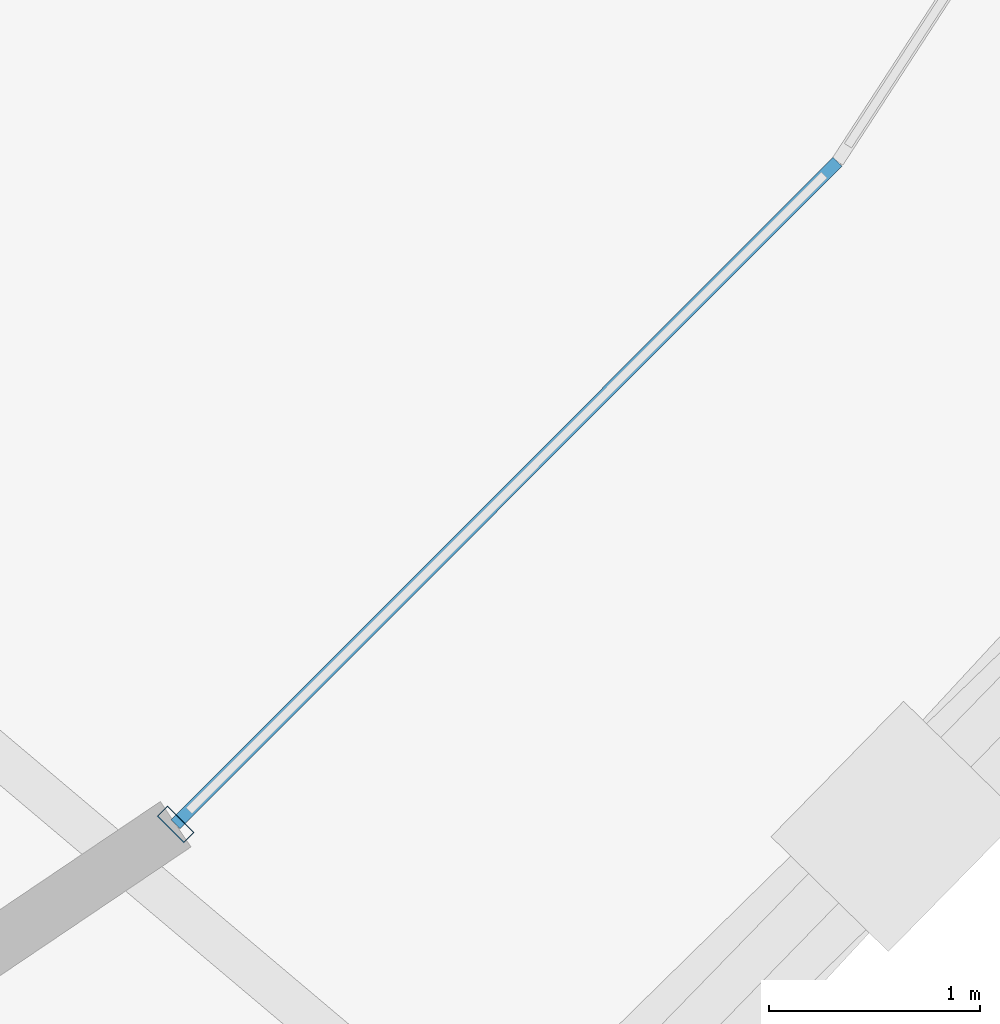
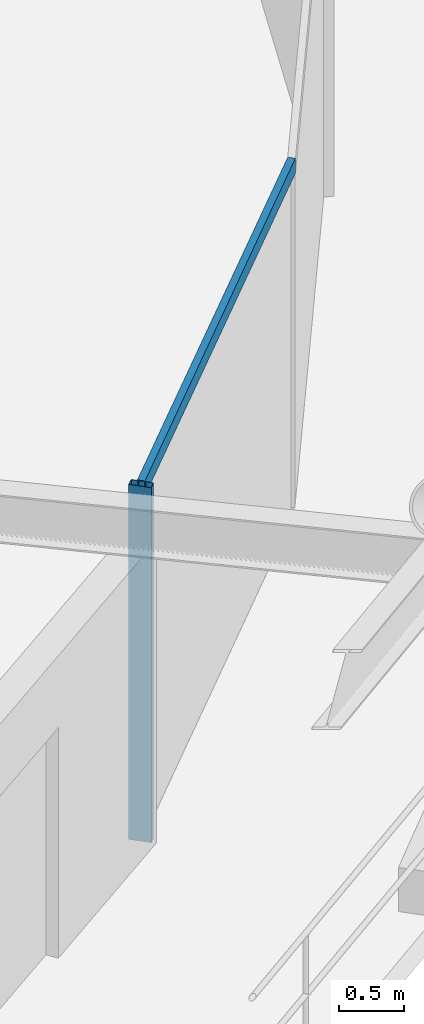
# One storey, part 6 of 17: 2 members, 1 element without a shape of its own.
"""IFC4 building model written with IfcOpenShell, lengths in metres."""

import ifcopenshell
import ifcopenshell.guid

model = None  # the IFC model being written
_history = None  # IfcOwnerHistory: only IFC2X3 demands one
_inside = {}  # id of a spatial element -> (the spatial element, [elements in it])
_under = {}  # id of a project, library or spatial element -> (it, [spatial elements below it])
_declared = {}  # id of a project -> (the project, [libraries it declares])
_typed = {}  # id of a type object -> (the type object, [elements of that type])
_made_of = {}  # id of a material, layer set ... -> (it, [elements and type objects made of it])


def new_model(schema):
    """Start an empty IFC model of exactly this schema.

    Asked for "IFC4X3", IfcOpenShell would pick the latest addendum, in which some entities
    have other attributes; the version numbers below select the first issue.
    IFC2X3 requires an IfcOwnerHistory on every rooted entity: one is made here for all.
    """
    global model, _history
    if schema == "IFC4X3":
        model = ifcopenshell.file(schema_version=(4, 3, 0, 0))
    else:
        model = ifcopenshell.file(schema=schema)
    _inside.clear()
    _under.clear()
    _declared.clear()
    _typed.clear()
    _made_of.clear()
    _history = None
    if model.schema == "IFC2X3":
        org = make("IfcOrganization", Name="unknown")
        user = make(
            "IfcPersonAndOrganization",
            ThePerson=make("IfcPerson", FamilyName="unknown"),
            TheOrganization=org,
        )
        app = make(
            "IfcApplication",
            ApplicationDeveloper=org,
            Version="unknown",
            ApplicationFullName="unknown",
            ApplicationIdentifier="unknown",
        )
        _history = make(
            "IfcOwnerHistory",
            OwningUser=user,
            OwningApplication=app,
            ChangeAction="ADDED",
            CreationDate=0,
        )
    return model


def make(cls, **values):
    """One entity of the class cls with the attributes given. An attribute that is None is left unset."""
    return model.create_entity(
        cls, **{name: value for name, value in values.items() if value is not None}
    )


def rooted(cls, **values):
    """An entity with a GlobalId (a new one), such as an element, a storey or a relation."""
    return make(cls, GlobalId=ifcopenshell.guid.new(), OwnerHistory=_history, **values)


def si_unit(unit_type, name, prefix=None):
    """IfcSIUnit, for example si_unit("LENGTHUNIT", "METRE", prefix="MILLI")."""
    return make("IfcSIUnit", UnitType=unit_type, Prefix=prefix, Name=name)


def assignment(units):
    """IfcUnitAssignment: the units of a project."""
    return None if units is None else make("IfcUnitAssignment", Units=units)


def point(xyz):
    """IfcCartesianPoint."""
    return None if xyz is None else make("IfcCartesianPoint", Coordinates=xyz)


def direction(xyz):
    """IfcDirection."""
    return None if xyz is None else make("IfcDirection", DirectionRatios=xyz)


def frame(location, z_axis=None, x_axis=None):
    """IfcAxis2Placement3D, a coordinate frame: its origin and axes. An axis left out is left unset."""
    return make(
        "IfcAxis2Placement3D",
        Location=point(location),
        Axis=direction(z_axis),
        RefDirection=direction(x_axis),
    )


def frame_2d(location, x_axis=None):
    """IfcAxis2Placement2D, a coordinate frame in the plane: its origin and x axis."""
    return make(
        "IfcAxis2Placement2D", Location=point(location), RefDirection=direction(x_axis)
    )


def origin():
    """The frame at (0, 0, 0) with its axes left unset."""
    return frame((0.0, 0.0, 0.0))


def origin_2d():
    """The frame at (0, 0) in the plane with its x axis left unset."""
    return frame_2d((0.0, 0.0))


def place(relative_to, where):
    """IfcLocalPlacement: puts the frame where relative to a parent placement (None: the world)."""
    return make(
        "IfcLocalPlacement", PlacementRelTo=relative_to, RelativePlacement=where
    )


def context(
    kind, dimensions, precision=None, world=None, true_north=None, identifier=None
):
    """IfcGeometricRepresentationContext, for example the 3D "Model" context."""
    return make(
        "IfcGeometricRepresentationContext",
        ContextIdentifier=identifier,
        ContextType=kind,
        CoordinateSpaceDimension=dimensions,
        Precision=precision,
        WorldCoordinateSystem=world,
        TrueNorth=true_north,
    )


def subcontext(parent, identifier, kind, view, scale=None):
    """IfcGeometricRepresentationSubContext, for example "Body" below "Model"."""
    return make(
        "IfcGeometricRepresentationSubContext",
        ContextIdentifier=identifier,
        ContextType=kind,
        ParentContext=parent,
        TargetScale=scale,
        TargetView=view,
    )


def project(units=None, contexts=None):
    """IfcProject with its units and contexts."""
    return rooted(
        "IfcProject",
        Name="project",
        RepresentationContexts=contexts,
        UnitsInContext=assignment(units),
    )


def spatial(cls, under=None, at=None, **own):
    """A site, building, storey or space (cls), placed at a placement, below another one or the project."""
    s = rooted(cls, ObjectPlacement=at, **own)
    if under is not None:
        _under.setdefault(under.id(), (under, []))[1].append(s)
    return s


def profile(cls, at=None, kind="AREA", **sizes):
    """A parametric profile (cls). Its sizes go by their IFC names, for example OverallWidth=200.0."""
    return make(cls, ProfileType=kind, Position=at, **sizes)


def hollow_rectangle(**sizes):
    """IfcRectangleHollowProfileDef."""
    return profile("IfcRectangleHollowProfileDef", **sizes)


def extrude(swept, where, along, depth):
    """IfcExtrudedAreaSolid: the profile swept, set in the frame where, extruded along a direction by depth."""
    return make(
        "IfcExtrudedAreaSolid",
        SweptArea=swept,
        Position=where,
        ExtrudedDirection=direction(along),
        Depth=depth,
    )


def shape(context_of_items, identifier, shape_type, items):
    """IfcShapeRepresentation: the items that make up one representation, for example the "Body"."""
    return make(
        "IfcShapeRepresentation",
        ContextOfItems=context_of_items,
        RepresentationIdentifier=identifier,
        RepresentationType=shape_type,
        Items=items,
    )


def material(Name=None, Category=None):
    """IfcMaterial."""
    return make("IfcMaterial", Name=Name, Category=Category)


def layer(
    of_material, thickness, ventilated=None, Name=None, Category=None, Priority=None
):
    """IfcMaterialLayer: one layer of a wall or slab, of a material (None: an air gap)."""
    return make(
        "IfcMaterialLayer",
        Material=of_material,
        LayerThickness=thickness,
        IsVentilated=ventilated,
        Name=Name,
        Category=Category,
        Priority=Priority,
    )


def layer_set(layers, Name=None):
    """IfcMaterialLayerSet."""
    return make("IfcMaterialLayerSet", MaterialLayers=layers, LayerSetName=Name)


def material_profile(
    of_material, cross_section, Name=None, Category=None, Priority=None
):
    """IfcMaterialProfile: a cross section and its material."""
    return make(
        "IfcMaterialProfile",
        Name=Name,
        Material=of_material,
        Profile=cross_section,
        Priority=Priority,
        Category=Category,
    )


def profile_set(profiles, Name=None, composite=None):
    """IfcMaterialProfileSet."""
    return make(
        "IfcMaterialProfileSet",
        Name=Name,
        MaterialProfiles=profiles,
        CompositeProfile=composite,
    )


def made_of(thing, what):
    """Note that an element or type object is made of a material, layer set ...; save() writes the relation."""
    if what is not None:
        _made_of.setdefault(what.id(), (what, []))[1].append(thing)
    return thing


def type_object(cls, material=None, **own):
    """A type object (cls), such as IfcWallType, which elements share."""
    return made_of(rooted(cls, **own), material)


def element(
    cls,
    number,
    at=None,
    inside=None,
    cuts=None,
    type_object=None,
    material=None,
    context=None,
    identifier="Body",
    shape_type=None,
    held_by="IfcProductDefinitionShape",
    body=None,
    shapes=None,
    **own,
):
    """One element of the class cls, such as IfcWall. Its Tag is "e" and its number.

    at: its placement. inside: the storey or other place that contains it. cuts: it is an
    opening in that element (IfcRelVoidsElement). A single representation is given by context,
    identifier, shape_type and body (its items); several are given by shapes. held_by: the class
    of the entity that holds the representations. save() writes the other relations.
    """
    e = rooted(cls, Tag="e%d" % number, ObjectPlacement=at, **own)
    if body is not None:
        shapes = [shape(context, identifier, shape_type, body)]
    if shapes is not None:
        e.Representation = make(held_by, Representations=shapes)
    if inside is not None:
        _inside.setdefault(inside.id(), (inside, []))[1].append(e)
    if cuts is not None:
        rooted(
            "IfcRelVoidsElement", RelatingBuildingElement=cuts, RelatedOpeningElement=e
        )
    if type_object is not None:
        _typed.setdefault(type_object.id(), (type_object, []))[1].append(e)
    return made_of(e, material)


def aggregate(whole, parts):
    """IfcRelAggregates: a whole, such as a stair, and the parts it consists of."""
    return rooted("IfcRelAggregates", RelatingObject=whole, RelatedObjects=parts)


def save(model, path):
    """Write the relations noted so far, then the file.

    IfcRelAggregates (storeys below a building ...), IfcRelContainedInSpatialStructure (elements
    in a storey), IfcRelDefinesByType, IfcRelAssociatesMaterial and IfcRelDeclares: one each for
    every whole, place, type object, material and project.
    """
    for whole, parts in _under.values():
        aggregate(whole, parts)
    for where, things in _inside.values():
        rooted(
            "IfcRelContainedInSpatialStructure",
            RelatedElements=things,
            RelatingStructure=where,
        )
    for kind, things in _typed.values():
        rooted("IfcRelDefinesByType", RelatedObjects=things, RelatingType=kind)
    for what, things in _made_of.values():
        rooted("IfcRelAssociatesMaterial", RelatedObjects=things, RelatingMaterial=what)
    for by, libraries in _declared.values():
        rooted("IfcRelDeclares", RelatingContext=by, RelatedDefinitions=libraries)
    model.write(path)


model = new_model("IFC4")

# Units and contexts
model_context = context("Model", 3, precision=1e-05, world=origin(), true_north=direction((0.0, 1.0)))
body_context = subcontext(model_context, "Body", "Model", "MODEL_VIEW")
ifc_project = project(units=[si_unit("LENGTHUNIT", "METRE"), si_unit("AREAUNIT", "SQUARE_METRE"), si_unit("VOLUMEUNIT", "CUBIC_METRE"), si_unit("PLANEANGLEUNIT", "RADIAN"), si_unit("MASSUNIT", "GRAM", prefix="KILO")], contexts=[model_context])

# Site, building, storey
site_placement = place(None, origin())
site = spatial("IfcSite", under=ifc_project, at=site_placement, CompositionType="ELEMENT")
building_placement = place(site_placement, origin())
building = spatial("IfcBuilding", under=site, at=building_placement, Name="Veldorina Hangang Commons", CompositionType="ELEMENT")
storey_placement = place(building_placement, frame((0.0, 0.0, 178.39990234375)))
storey = spatial("IfcBuildingStorey", under=building, at=storey_placement, Name="L46", CompositionType="ELEMENT", Elevation=178.39990234375)

# Curtain wall, members
ifc_material_1 = material(Name="Glass Low-E Triple IGU", Category="glass")
ifc_layer = layer(ifc_material_1, 0.179931640625)
ifc_layer_set = layer_set([ifc_layer], Name="Glass Low-E Triple IGU")
curtain_wall_type = type_object("IfcCurtainWallType", Name="CW-SYS-Z2", PredefinedType="NOTDEFINED", material=ifc_layer_set)
curtain_wall_placement = place(storey_placement, origin())
curtain_wall = element("IfcCurtainWall", 1, at=curtain_wall_placement, inside=storey, type_object=curtain_wall_type, Name="L46 unitised curtain wall CW-L46-R2", PredefinedType="NOTDEFINED")
ifc_material_2 = material(Name="Aluminium Anodized AA6063-T6", Category="aluminium")
ifc_material_profile_1 = material_profile(ifc_material_2, hollow_rectangle(XDim=0.070068359375, YDim=0.179931640625, WallThickness=0.00390625, at=origin_2d()), Name="ALU-RHS-180x70x4")
ifc_profile_set_1 = profile_set([ifc_material_profile_1], Name="Aluminium Anodized AA6063-T6")
member_type_1 = type_object("IfcMemberType", Name="CW-MUL-180", PredefinedType="MULLION", material=ifc_profile_set_1)
member_1_placement = place(storey_placement, frame((49.875244140625, 9.31494140625, 0.0), z_axis=(0.0, 0.0, 1.0), x_axis=(0.70673644403, 0.707476924486, 0.0)))
member_1 = element("IfcMember", 2, at=member_1_placement, type_object=member_type_1, Name="CW-L46-R2 vertical mullion 1", PredefinedType="MULLION", context=body_context, shape_type="SweptSolid", body=[
    extrude(hollow_rectangle(XDim=0.070068359375, YDim=0.179931640625, WallThickness=0.00390625, at=origin_2d()), origin(), (0.0, 0.0, 1.0), 3.31005859375),
])
ifc_material_profile_2 = material_profile(ifc_material_2, hollow_rectangle(XDim=0.06005859375, YDim=0.139892578125, WallThickness=0.00341796875, at=origin_2d()), Name="ALU-RHS-140x60x3.5")
ifc_profile_set_2 = profile_set([ifc_material_profile_2], Name="Aluminium Anodized AA6063-T6")
member_type_2 = type_object("IfcMemberType", Name="CW-TRN-140", PredefinedType="USERDEFINED", material=ifc_profile_set_2)
member_2_placement = place(storey_placement, frame((49.875244140625, 9.31494140625, 3.27001953125), z_axis=(0.706749940815, 0.70746344157, 0.0), x_axis=(-0.70746344157, 0.706749940815, 0.0)))
member_2 = element("IfcMember", 3, at=member_2_placement, type_object=member_type_2, Name="CW-L46-R2 facet 1 transom 1", ObjectType="TRANSOM", PredefinedType="USERDEFINED", context=body_context, shape_type="SweptSolid", body=[
    extrude(hollow_rectangle(XDim=0.06005859375, YDim=0.139892578125, WallThickness=0.00341796875, at=origin_2d()), origin(), (0.0, 0.0, 1.0), 4.4482421875),
])
aggregate(curtain_wall, [member_1, member_2])

save(model, "model.ifc")
